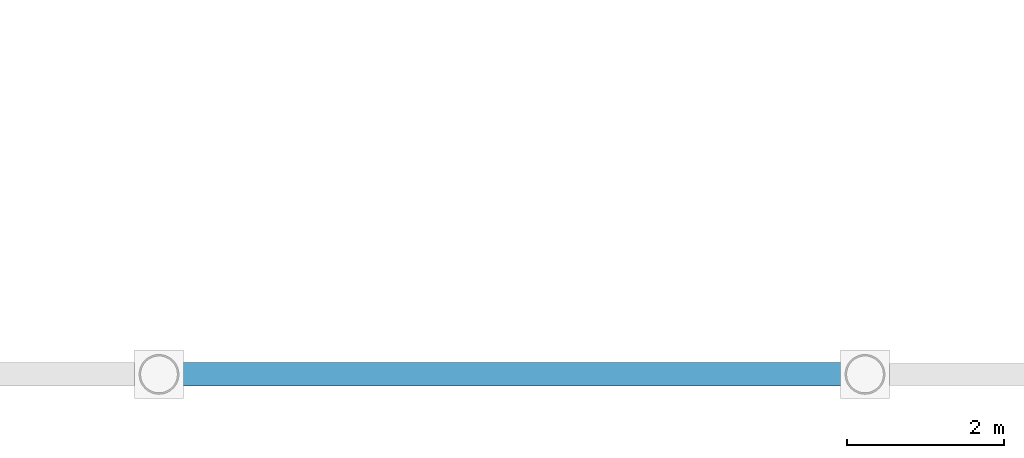
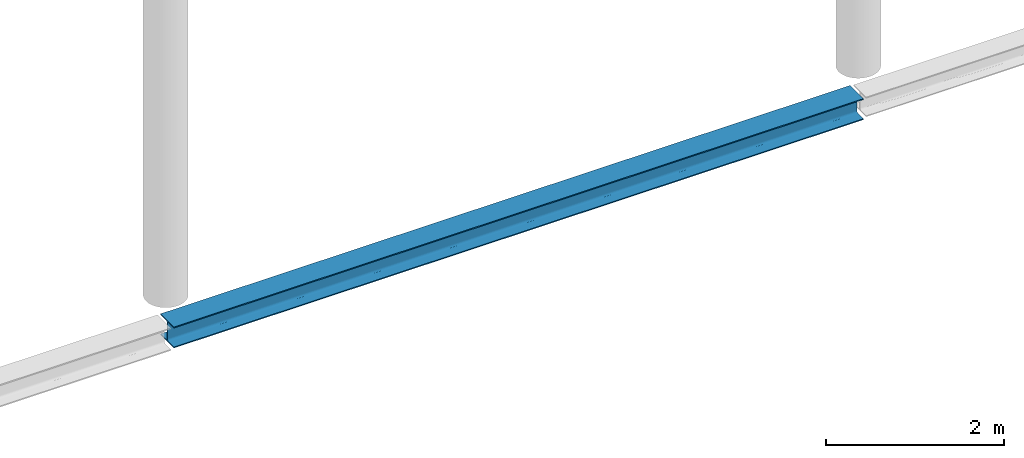
# One storey, part 31 of 211: 1 beam.
"""IFC4 building model written with IfcOpenShell, lengths in metres."""

import ifcopenshell
import ifcopenshell.guid

model = None  # the IFC model being written
_history = None  # IfcOwnerHistory: only IFC2X3 demands one
_inside = {}  # id of a spatial element -> (the spatial element, [elements in it])
_under = {}  # id of a project, library or spatial element -> (it, [spatial elements below it])
_declared = {}  # id of a project -> (the project, [libraries it declares])
_typed = {}  # id of a type object -> (the type object, [elements of that type])
_made_of = {}  # id of a material, layer set ... -> (it, [elements and type objects made of it])


def new_model(schema):
    """Start an empty IFC model of exactly this schema.

    Asked for "IFC4X3", IfcOpenShell would pick the latest addendum, in which some entities
    have other attributes; the version numbers below select the first issue.
    IFC2X3 requires an IfcOwnerHistory on every rooted entity: one is made here for all.
    """
    global model, _history
    if schema == "IFC4X3":
        model = ifcopenshell.file(schema_version=(4, 3, 0, 0))
    else:
        model = ifcopenshell.file(schema=schema)
    _inside.clear()
    _under.clear()
    _declared.clear()
    _typed.clear()
    _made_of.clear()
    _history = None
    if model.schema == "IFC2X3":
        org = make("IfcOrganization", Name="unknown")
        user = make(
            "IfcPersonAndOrganization",
            ThePerson=make("IfcPerson", FamilyName="unknown"),
            TheOrganization=org,
        )
        app = make(
            "IfcApplication",
            ApplicationDeveloper=org,
            Version="unknown",
            ApplicationFullName="unknown",
            ApplicationIdentifier="unknown",
        )
        _history = make(
            "IfcOwnerHistory",
            OwningUser=user,
            OwningApplication=app,
            ChangeAction="ADDED",
            CreationDate=0,
        )
    return model


def make(cls, **values):
    """One entity of the class cls with the attributes given. An attribute that is None is left unset."""
    return model.create_entity(
        cls, **{name: value for name, value in values.items() if value is not None}
    )


def rooted(cls, **values):
    """An entity with a GlobalId (a new one), such as an element, a storey or a relation."""
    return make(cls, GlobalId=ifcopenshell.guid.new(), OwnerHistory=_history, **values)


def si_unit(unit_type, name, prefix=None):
    """IfcSIUnit, for example si_unit("LENGTHUNIT", "METRE", prefix="MILLI")."""
    return make("IfcSIUnit", UnitType=unit_type, Prefix=prefix, Name=name)


def assignment(units):
    """IfcUnitAssignment: the units of a project."""
    return None if units is None else make("IfcUnitAssignment", Units=units)


def point(xyz):
    """IfcCartesianPoint."""
    return None if xyz is None else make("IfcCartesianPoint", Coordinates=xyz)


def direction(xyz):
    """IfcDirection."""
    return None if xyz is None else make("IfcDirection", DirectionRatios=xyz)


def frame(location, z_axis=None, x_axis=None):
    """IfcAxis2Placement3D, a coordinate frame: its origin and axes. An axis left out is left unset."""
    return make(
        "IfcAxis2Placement3D",
        Location=point(location),
        Axis=direction(z_axis),
        RefDirection=direction(x_axis),
    )


def frame_2d(location, x_axis=None):
    """IfcAxis2Placement2D, a coordinate frame in the plane: its origin and x axis."""
    return make(
        "IfcAxis2Placement2D", Location=point(location), RefDirection=direction(x_axis)
    )


def origin():
    """The frame at (0, 0, 0) with its axes left unset."""
    return frame((0.0, 0.0, 0.0))


def origin_2d():
    """The frame at (0, 0) in the plane with its x axis left unset."""
    return frame_2d((0.0, 0.0))


def place(relative_to, where):
    """IfcLocalPlacement: puts the frame where relative to a parent placement (None: the world)."""
    return make(
        "IfcLocalPlacement", PlacementRelTo=relative_to, RelativePlacement=where
    )


def context(
    kind, dimensions, precision=None, world=None, true_north=None, identifier=None
):
    """IfcGeometricRepresentationContext, for example the 3D "Model" context."""
    return make(
        "IfcGeometricRepresentationContext",
        ContextIdentifier=identifier,
        ContextType=kind,
        CoordinateSpaceDimension=dimensions,
        Precision=precision,
        WorldCoordinateSystem=world,
        TrueNorth=true_north,
    )


def subcontext(parent, identifier, kind, view, scale=None):
    """IfcGeometricRepresentationSubContext, for example "Body" below "Model"."""
    return make(
        "IfcGeometricRepresentationSubContext",
        ContextIdentifier=identifier,
        ContextType=kind,
        ParentContext=parent,
        TargetScale=scale,
        TargetView=view,
    )


def project(units=None, contexts=None):
    """IfcProject with its units and contexts."""
    return rooted(
        "IfcProject",
        Name="project",
        RepresentationContexts=contexts,
        UnitsInContext=assignment(units),
    )


def spatial(cls, under=None, at=None, **own):
    """A site, building, storey or space (cls), placed at a placement, below another one or the project."""
    s = rooted(cls, ObjectPlacement=at, **own)
    if under is not None:
        _under.setdefault(under.id(), (under, []))[1].append(s)
    return s


def profile(cls, at=None, kind="AREA", **sizes):
    """A parametric profile (cls). Its sizes go by their IFC names, for example OverallWidth=200.0."""
    return make(cls, ProfileType=kind, Position=at, **sizes)


def i_section(**sizes):
    """IfcIShapeProfileDef."""
    return profile("IfcIShapeProfileDef", **sizes)


def extrude(swept, where, along, depth):
    """IfcExtrudedAreaSolid: the profile swept, set in the frame where, extruded along a direction by depth."""
    return make(
        "IfcExtrudedAreaSolid",
        SweptArea=swept,
        Position=where,
        ExtrudedDirection=direction(along),
        Depth=depth,
    )


def shape(context_of_items, identifier, shape_type, items):
    """IfcShapeRepresentation: the items that make up one representation, for example the "Body"."""
    return make(
        "IfcShapeRepresentation",
        ContextOfItems=context_of_items,
        RepresentationIdentifier=identifier,
        RepresentationType=shape_type,
        Items=items,
    )


def material(Name=None, Category=None):
    """IfcMaterial."""
    return make("IfcMaterial", Name=Name, Category=Category)


def material_profile(
    of_material, cross_section, Name=None, Category=None, Priority=None
):
    """IfcMaterialProfile: a cross section and its material."""
    return make(
        "IfcMaterialProfile",
        Name=Name,
        Material=of_material,
        Profile=cross_section,
        Priority=Priority,
        Category=Category,
    )


def profile_set(profiles, Name=None, composite=None):
    """IfcMaterialProfileSet."""
    return make(
        "IfcMaterialProfileSet",
        Name=Name,
        MaterialProfiles=profiles,
        CompositeProfile=composite,
    )


def made_of(thing, what):
    """Note that an element or type object is made of a material, layer set ...; save() writes the relation."""
    if what is not None:
        _made_of.setdefault(what.id(), (what, []))[1].append(thing)
    return thing


def type_object(cls, material=None, **own):
    """A type object (cls), such as IfcWallType, which elements share."""
    return made_of(rooted(cls, **own), material)


def element(
    cls,
    number,
    at=None,
    inside=None,
    cuts=None,
    type_object=None,
    material=None,
    context=None,
    identifier="Body",
    shape_type=None,
    held_by="IfcProductDefinitionShape",
    body=None,
    shapes=None,
    **own,
):
    """One element of the class cls, such as IfcWall. Its Tag is "e" and its number.

    at: its placement. inside: the storey or other place that contains it. cuts: it is an
    opening in that element (IfcRelVoidsElement). A single representation is given by context,
    identifier, shape_type and body (its items); several are given by shapes. held_by: the class
    of the entity that holds the representations. save() writes the other relations.
    """
    e = rooted(cls, Tag="e%d" % number, ObjectPlacement=at, **own)
    if body is not None:
        shapes = [shape(context, identifier, shape_type, body)]
    if shapes is not None:
        e.Representation = make(held_by, Representations=shapes)
    if inside is not None:
        _inside.setdefault(inside.id(), (inside, []))[1].append(e)
    if cuts is not None:
        rooted(
            "IfcRelVoidsElement", RelatingBuildingElement=cuts, RelatedOpeningElement=e
        )
    if type_object is not None:
        _typed.setdefault(type_object.id(), (type_object, []))[1].append(e)
    return made_of(e, material)


def aggregate(whole, parts):
    """IfcRelAggregates: a whole, such as a stair, and the parts it consists of."""
    return rooted("IfcRelAggregates", RelatingObject=whole, RelatedObjects=parts)


def save(model, path):
    """Write the relations noted so far, then the file.

    IfcRelAggregates (storeys below a building ...), IfcRelContainedInSpatialStructure (elements
    in a storey), IfcRelDefinesByType, IfcRelAssociatesMaterial and IfcRelDeclares: one each for
    every whole, place, type object, material and project.
    """
    for whole, parts in _under.values():
        aggregate(whole, parts)
    for where, things in _inside.values():
        rooted(
            "IfcRelContainedInSpatialStructure",
            RelatedElements=things,
            RelatingStructure=where,
        )
    for kind, things in _typed.values():
        rooted("IfcRelDefinesByType", RelatedObjects=things, RelatingType=kind)
    for what, things in _made_of.values():
        rooted("IfcRelAssociatesMaterial", RelatedObjects=things, RelatingMaterial=what)
    for by, libraries in _declared.values():
        rooted("IfcRelDeclares", RelatingContext=by, RelatedDefinitions=libraries)
    model.write(path)


model = new_model("IFC4")

# Units and contexts
model_context = context("Model", 3, precision=1e-05, world=origin(), true_north=direction((0.0, 1.0)))
body_context = subcontext(model_context, "Body", "Model", "MODEL_VIEW")
ifc_project = project(units=[si_unit("LENGTHUNIT", "METRE"), si_unit("AREAUNIT", "SQUARE_METRE"), si_unit("VOLUMEUNIT", "CUBIC_METRE"), si_unit("PLANEANGLEUNIT", "RADIAN"), si_unit("MASSUNIT", "GRAM", prefix="KILO")], contexts=[model_context])

# Site, building, storey
site_placement = place(None, origin())
site = spatial("IfcSite", under=ifc_project, at=site_placement, CompositionType="ELEMENT")
building_placement = place(site_placement, origin())
building = spatial("IfcBuilding", under=site, at=building_placement, Name="Barlavento Convention Centre", CompositionType="ELEMENT")
storey_placement = place(building_placement, frame((0.0, 0.0, 6.0)))
storey = spatial("IfcBuildingStorey", under=building, at=storey_placement, Name="L01", CompositionType="ELEMENT", Elevation=6.0)

# Beam
ifc_material = material(Name="Steel S355", Category="steel")
ifc_material_profile = material_profile(ifc_material, i_section(OverallWidth=0.300048828125, OverallDepth=0.2900390625, WebThickness=0.008544921875, FlangeThickness=0.013916015625, FilletRadius=0.027099609375, at=origin_2d()), Name="HEA 300")
ifc_profile_set = profile_set([ifc_material_profile], Name="Steel S355")
beam_type = type_object("IfcBeamType", Name="STR-BM-SPN-HEA300", PredefinedType="SPANDREL", material=ifc_profile_set)
beam_placement = place(storey_placement, frame((27.02001953125, 0.0, -0.5048828125), z_axis=(1.0, 0.0, 0.0), x_axis=(0.0, 1.0, 0.0)))
element("IfcBeam", 1, at=beam_placement, inside=storey, type_object=beam_type, Name="L01 primary girder SP02", PredefinedType="SPANDREL", context=body_context, shape_type="SweptSolid", body=[
    extrude(i_section(OverallWidth=0.300048828125, OverallDepth=0.2900390625, WebThickness=0.008544921875, FlangeThickness=0.013916015625, FilletRadius=0.027099609375, at=origin_2d()), origin(), (0.0, 0.0, 1.0), 8.9599609375),
])

save(model, "model.ifc")
